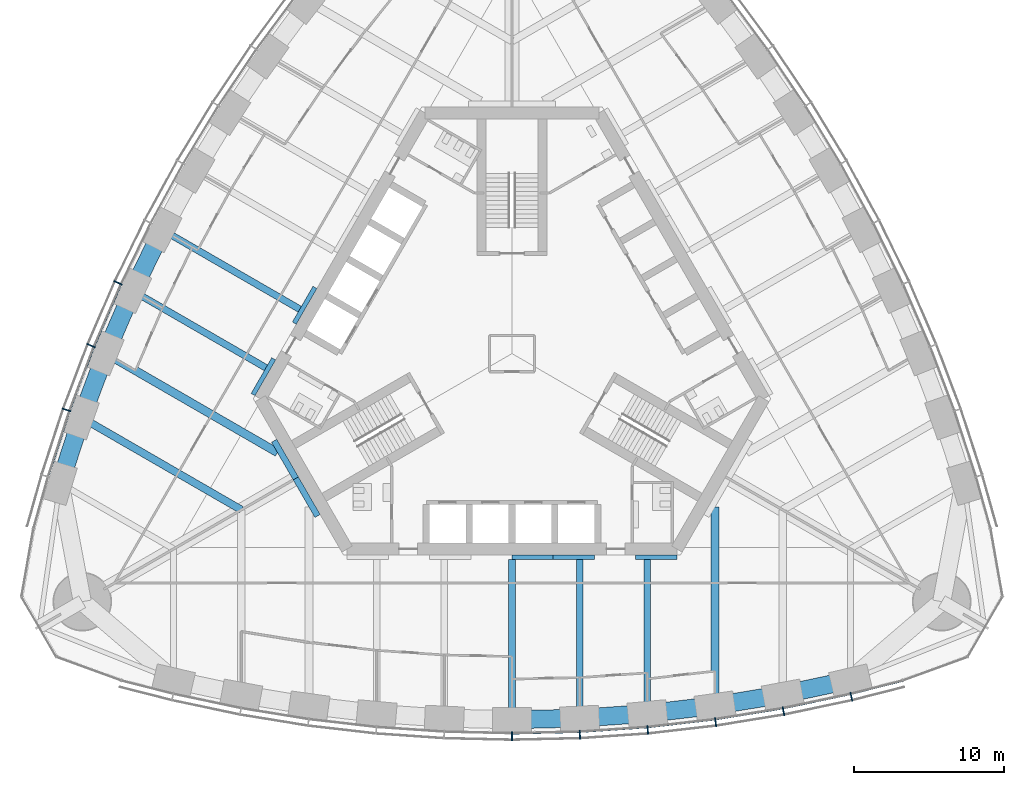
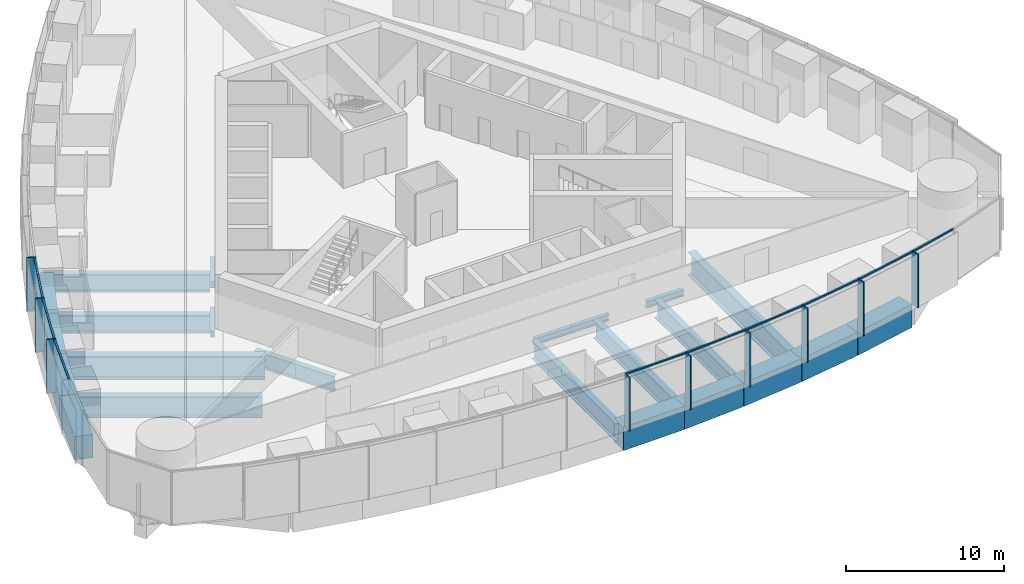
# One storey, part 3 of 19: 24 beams, 18 members, 2 elements without a shape of their own.
"""IFC4 building model written with IfcOpenShell, lengths in metres."""

from ifc_helpers import new_model, si_unit, direction, frame, origin, origin_2d, place, context, subcontext, project, spatial, rectangle, i_section, extrude, material, material_profile, profile_set, type_object, element, aggregate, save


model = new_model("IFC4")

# Units and contexts
model_context = context("Model", 3, precision=1e-05, world=origin(), true_north=direction((0.0, 1.0)))
body_context = subcontext(model_context, "Body", "Model", "MODEL_VIEW")
ifc_project = project(units=[si_unit("LENGTHUNIT", "METRE"), si_unit("AREAUNIT", "SQUARE_METRE"), si_unit("VOLUMEUNIT", "CUBIC_METRE"), si_unit("PLANEANGLEUNIT", "RADIAN"), si_unit("MASSUNIT", "GRAM", prefix="KILO")], contexts=[model_context])

# Site, building, storey
site_placement = place(None, origin())
site = spatial("IfcSite", under=ifc_project, at=site_placement, CompositionType="ELEMENT")
building_placement = place(site_placement, origin())
building = spatial("IfcBuilding", under=site, at=building_placement, Name="Trefoil Bronze Tower", CompositionType="ELEMENT")
storey_placement = place(building_placement, frame((0.0, 0.0, 189.699951171875)))
storey = spatial("IfcBuildingStorey", under=building, at=storey_placement, Name="L43", CompositionType="ELEMENT", Elevation=189.699951171875)

# Curtain wall, members
ifc_material_1 = material(Name="Tinted solar-control glass", Category="glass")
curtain_wall_type = type_object("IfcCurtainWallType", Name="Bronze office curtain wall", PredefinedType="USERDEFINED", material=ifc_material_1)
curtain_wall_1_placement = place(storey_placement, origin())
curtain_wall_1 = element("IfcCurtainWall", 1, at=curtain_wall_1_placement, inside=storey, type_object=curtain_wall_type, Name="CW-A L43 F1", ObjectType="CURTAIN WALL", PredefinedType="USERDEFINED")
ifc_material_2 = material(Name="Bronze-finish aluminium", Category="aluminium")
ifc_material_profile_1 = material_profile(ifc_material_2, rectangle(XDim=0.60009765625, YDim=0.080078125, at=origin_2d()), Name="CW-A mullion")
ifc_profile_set_1 = profile_set([ifc_material_profile_1], Name="Bronze-finish aluminium")
member_type_1 = type_object("IfcMemberType", Name="Bronze office curtain wall mullion", PredefinedType="MULLION", material=ifc_profile_set_1)
member_1_placement = place(storey_placement, frame((0.0, -25.45068359375, 0.0), z_axis=(0.0, 0.0, 1.0), x_axis=(0.0, 1.0, 0.0)))
member_1 = element("IfcMember", 2, at=member_1_placement, type_object=member_type_1, Name="CW-A L43 F1 mullion 7", PredefinedType="MULLION", context=body_context, shape_type="SweptSolid", body=[
    extrude(rectangle(XDim=0.60009765625, YDim=0.080078125, at=origin_2d()), origin(), (0.0, 0.0, 1.0), 4.179931640625),
])
member_2_placement = place(storey_placement, frame((4.513671875, -25.346923828125, 0.0), z_axis=(0.0, 0.0, 1.0), x_axis=(-0.045955542372, 0.998943485952, 0.0)))
member_2 = element("IfcMember", 3, at=member_2_placement, type_object=member_type_1, Name="CW-A L43 F1 mullion 8", PredefinedType="MULLION", context=body_context, shape_type="SweptSolid", body=[
    extrude(rectangle(XDim=0.60009765625, YDim=0.080078125, at=origin_2d()), origin(), (0.0, 0.0, 1.0), 4.179931640625),
])
member_3_placement = place(storey_placement, frame((9.027587890625, -25.03515625, 0.0), z_axis=(0.0, 0.0, 1.0), x_axis=(-0.091911396394, 0.995767189263, 0.0)))
member_3 = element("IfcMember", 4, at=member_3_placement, type_object=member_type_1, Name="CW-A L43 F1 mullion 9", PredefinedType="MULLION", context=body_context, shape_type="SweptSolid", body=[
    extrude(rectangle(XDim=0.60009765625, YDim=0.080078125, at=origin_2d()), origin(), (0.0, 0.0, 1.0), 4.179931640625),
])
member_4_placement = place(storey_placement, frame((13.541259765625, -24.51318359375, 0.0), z_axis=(0.0, 0.0, 1.0), x_axis=(-0.137867887204, 0.990450627582, 0.0)))
member_4 = element("IfcMember", 5, at=member_4_placement, type_object=member_type_1, Name="CW-A L43 F1 mullion 10", PredefinedType="MULLION", context=body_context, shape_type="SweptSolid", body=[
    extrude(rectangle(XDim=0.60009765625, YDim=0.080078125, at=origin_2d()), origin(), (0.0, 0.0, 1.0), 4.179931640625),
])
member_5_placement = place(storey_placement, frame((18.05517578125, -23.77783203125, 0.0), z_axis=(0.0, 0.0, 1.0), x_axis=(-0.183825368167, 0.982958917767, 0.0)))
member_5 = element("IfcMember", 6, at=member_5_placement, type_object=member_type_1, Name="CW-A L43 F1 mullion 11", PredefinedType="MULLION", context=body_context, shape_type="SweptSolid", body=[
    extrude(rectangle(XDim=0.60009765625, YDim=0.080078125, at=origin_2d()), origin(), (0.0, 0.0, 1.0), 4.179931640625),
])
member_6_placement = place(storey_placement, frame((22.568115234375, -22.82421875, 0.0), z_axis=(0.0, 0.0, 1.0), x_axis=(-0.227082662569, 0.973875487093, 0.0)))
member_6 = element("IfcMember", 7, at=member_6_placement, type_object=member_type_1, Name="CW-A L43 F1 mullion 12", PredefinedType="MULLION", context=body_context, shape_type="SweptSolid", body=[
    extrude(rectangle(XDim=0.60009765625, YDim=0.080078125, at=origin_2d()), origin(), (0.0, 0.0, 1.0), 4.179931640625),
])

curtain_wall_2_placement = place(storey_placement, origin())
curtain_wall_2 = element("IfcCurtainWall", 8, at=curtain_wall_2_placement, inside=storey, type_object=curtain_wall_type, Name="CW-A L43 F3", ObjectType="CURTAIN WALL", PredefinedType="USERDEFINED")
member_7_placement = place(storey_placement, frame((-26.19482421875, 4.699462890625, 0.0), z_axis=(0.0, 0.0, 1.0), x_axis=(0.908315380354, -0.418285990457, 0.0)))
member_7 = element("IfcMember", 9, at=member_7_placement, type_object=member_type_1, Name="CW-A L43 F3 mullion 9", PredefinedType="MULLION", context=body_context, shape_type="SweptSolid", body=[
    extrude(rectangle(XDim=0.60009765625, YDim=0.080078125, at=origin_2d()), origin(), (0.0, 0.0, 1.0), 4.179931640625),
])
member_8_placement = place(storey_placement, frame((-27.999755859375, 0.529541015625, 0.0), z_axis=(0.0, 0.0, 1.0), x_axis=(0.926689348282, -0.375828221106, 0.0)))
member_8 = element("IfcMember", 10, at=member_8_placement, type_object=member_type_1, Name="CW-A L43 F3 mullion 10", PredefinedType="MULLION", context=body_context, shape_type="SweptSolid", body=[
    extrude(rectangle(XDim=0.60009765625, YDim=0.080078125, at=origin_2d()), origin(), (0.0, 0.0, 1.0), 4.179931640625),
])
member_9_placement = place(storey_placement, frame((-29.619873046875, -3.747314453125, 0.0), z_axis=(0.0, 0.0, 1.0), x_axis=(0.943180077746, -0.332282020191, 0.0)))
member_9 = element("IfcMember", 11, at=member_9_placement, type_object=member_type_1, Name="CW-A L43 F3 mullion 11", PredefinedType="MULLION", context=body_context, shape_type="SweptSolid", body=[
    extrude(rectangle(XDim=0.60009765625, YDim=0.080078125, at=origin_2d()), origin(), (0.0, 0.0, 1.0), 4.179931640625),
])

# Member
ifc_material_3 = material(Name="Bronze-finish aluminium", Category="aluminium")
ifc_material_profile_2 = material_profile(ifc_material_3, rectangle(XDim=0.1201171875, YDim=0.10009765625, at=origin_2d()), Name="CW-A transom")
ifc_profile_set_2 = profile_set([ifc_material_profile_2], Name="Bronze-finish aluminium")
member_type_2 = type_object("IfcMemberType", Name="Bronze office curtain wall transom", PredefinedType="USERDEFINED", material=ifc_profile_set_2)
member_10_placement = place(storey_placement, frame((0.042236328125, -25.249755859375, 4.130126953125), z_axis=(0.999736131416, 0.022971015226, 0.0), x_axis=(-0.022971015226, 0.999736131416, 0.0)))
member_10 = element("IfcMember", 12, at=member_10_placement, type_object=member_type_2, Name="CW-A L43 F1 transom 7", ObjectType="TRANSOM", PredefinedType="USERDEFINED", context=body_context, shape_type="SweptSolid", body=[
    extrude(rectangle(XDim=0.1201171875, YDim=0.10009765625, at=origin_2d()), origin(), (0.0, 0.0, 1.0), 4.42138671875),
])

member_11_placement = place(storey_placement, frame((4.546875, -25.144287109375, 4.130126953125), z_axis=(0.997621320987, 0.06893257512, 0.0), x_axis=(-0.06893257512, 0.997621320987, 0.0)))
member_11 = element("IfcMember", 13, at=member_11_placement, type_object=member_type_2, Name="CW-A L43 F1 transom 8", ObjectType="TRANSOM", PredefinedType="USERDEFINED", context=body_context, shape_type="SweptSolid", body=[
    extrude(rectangle(XDim=0.1201171875, YDim=0.10009765625, at=origin_2d()), origin(), (0.0, 0.0, 1.0), 4.4306640625),
])

member_12_placement = place(storey_placement, frame((9.05126953125, -24.8310546875, 4.130126953125), z_axis=(0.993384885596, 0.114832352013, 0.0), x_axis=(-0.114832352013, 0.993384885596, 0.0)))
member_12 = element("IfcMember", 14, at=member_12_placement, type_object=member_type_2, Name="CW-A L43 F1 transom 9", ObjectType="TRANSOM", PredefinedType="USERDEFINED", context=body_context, shape_type="SweptSolid", body=[
    extrude(rectangle(XDim=0.1201171875, YDim=0.10009765625, at=origin_2d()), origin(), (0.0, 0.0, 1.0), 4.449951171875),
])

member_13_placement = place(storey_placement, frame((13.5556640625, -24.308349609375, 4.130126953125), z_axis=(0.986988367046, 0.160791676761, 0.0), x_axis=(-0.160791676761, 0.986988367046, 0.0)))
member_13 = element("IfcMember", 15, at=member_13_placement, type_object=member_type_2, Name="CW-A L43 F1 transom 10", ObjectType="TRANSOM", PredefinedType="USERDEFINED", context=body_context, shape_type="SweptSolid", body=[
    extrude(rectangle(XDim=0.1201171875, YDim=0.10009765625, at=origin_2d()), origin(), (0.0, 0.0, 1.0), 4.479248046875),
])

member_14_placement = place(storey_placement, frame((18.059814453125, -23.572509765625, 4.130126953125), z_axis=(0.978395325657, 0.20674280334, 0.0), x_axis=(-0.20674280334, 0.978395325657, 0.0)))
member_14 = element("IfcMember", 16, at=member_14_placement, type_object=member_type_2, Name="CW-A L43 F1 transom 11", ObjectType="TRANSOM", PredefinedType="USERDEFINED", context=body_context, shape_type="SweptSolid", body=[
    extrude(rectangle(XDim=0.1201171875, YDim=0.10009765625, at=origin_2d()), origin(), (0.0, 0.0, 1.0), 4.519287109375),
])

member_15_placement = place(storey_placement, frame((22.5634765625, -22.618896484375, 4.130126953125), z_axis=(0.968935220916, 0.247314653162, 0.0), x_axis=(-0.247314653162, 0.968935220916, 0.0)))
member_15 = element("IfcMember", 17, at=member_15_placement, type_object=member_type_2, Name="CW-A L43 F1 transom 12", ObjectType="TRANSOM", PredefinedType="USERDEFINED", context=body_context, shape_type="SweptSolid", body=[
    extrude(rectangle(XDim=0.1201171875, YDim=0.10009765625, at=origin_2d()), origin(), (0.0, 0.0, 1.0), 3.483642578125),
])

aggregate(curtain_wall_1, [member_1, member_2, member_3, member_4, member_5, member_6, member_10, member_11, member_12, member_13, member_14, member_15])

member_16_placement = place(storey_placement, frame((-26.030029296875, 4.576904296875, 4.130126953125), z_axis=(-0.397220936772, -0.917723012346, 0.0), x_axis=(0.917723012346, -0.397220936772, 0.0)))
member_16 = element("IfcMember", 18, at=member_16_placement, type_object=member_type_2, Name="CW-A L43 F3 transom 9", ObjectType="TRANSOM", PredefinedType="USERDEFINED", context=body_context, shape_type="SweptSolid", body=[
    extrude(rectangle(XDim=0.1201171875, YDim=0.10009765625, at=origin_2d()), origin(), (0.0, 0.0, 1.0), 4.449951171875),
])

member_17_placement = place(storey_placement, frame((-27.829345703125, 0.414794921875, 4.130126953125), z_axis=(-0.354263170896, -0.935145767112, 0.0), x_axis=(0.935145767112, -0.354263170896, 0.0)))
member_17 = element("IfcMember", 19, at=member_17_placement, type_object=member_type_2, Name="CW-A L43 F3 transom 10", ObjectType="TRANSOM", PredefinedType="USERDEFINED", context=body_context, shape_type="SweptSolid", body=[
    extrude(rectangle(XDim=0.1201171875, YDim=0.10009765625, at=origin_2d()), origin(), (0.0, 0.0, 1.0), 4.4794921875),
])

member_18_placement = place(storey_placement, frame((-29.4443359375, -3.85400390625, 4.130126953125), z_axis=(-0.310127806788, -0.950694874004, 0.0), x_axis=(0.950694874004, -0.310127806788, 0.0)))
member_18 = element("IfcMember", 20, at=member_18_placement, type_object=member_type_2, Name="CW-A L43 F3 transom 11", ObjectType="TRANSOM", PredefinedType="USERDEFINED", context=body_context, shape_type="SweptSolid", body=[
    extrude(rectangle(XDim=0.1201171875, YDim=0.10009765625, at=origin_2d()), origin(), (0.0, 0.0, 1.0), 4.51953125),
])

aggregate(curtain_wall_2, [member_7, member_8, member_9, member_16, member_17, member_18])

# Beams
ifc_material_4 = material(Name="Steel C355", Category="steel")
ifc_material_profile_3 = material_profile(ifc_material_4, i_section(OverallWidth=0.300048828125, OverallDepth=0.5, WebThickness=0.014404296875, FlangeThickness=0.028076171875, FilletRadius=0.027099609375, at=origin_2d()), Name="HEB 500")
ifc_profile_set_3 = profile_set([ifc_material_profile_3], Name="Steel C355")
beam_type_1 = type_object("IfcBeamType", Name="Core seat beam HEB 500", PredefinedType="BEAM", material=ifc_profile_set_3)
for number, where, z_axis, x_axis, name in (
    (21, (0.0, -13.550048828125, -0.449951171875), (1.0, 0.0, 0.0), (0.0, 1.0, 0.0), "Core seat beam F1/+0 L43"),
    (22, (2.742431640625, -13.550048828125, -0.449951171875), (1.0, 0.0, 0.0), (0.0, 1.0, 0.0), "Core seat beam F1/+1 L43"),
    (23, (8.227294921875, -13.550048828125, -0.449951171875), (1.0, 0.0, 0.0), (0.0, 1.0, 0.0), "Core seat beam F1/+2 L43"),
    (24, (-13.10595703125, 4.39990234375, -0.449951171875), (-0.499969057507, -0.866043267704, 0.0), (0.866043267704, -0.499969057507, 0.0), "Core seat beam F3/+1 L43"),
    (25, (-15.84814453125, -0.35009765625, -0.449951171875), (-0.500035825175, -0.866004719122, 0.0), (0.866004719122, -0.500035825175, 0.0), "Core seat beam F3/+2 L43"),
):
    element("IfcBeam", number, at=place(storey_placement, frame(where, z_axis=z_axis, x_axis=x_axis)), inside=storey, type_object=beam_type_1, Name=name, PredefinedType="BEAM", context=body_context, shape_type="SweptSolid", body=[
        extrude(i_section(OverallWidth=0.300048828125, OverallDepth=0.5, WebThickness=0.014404296875, FlangeThickness=0.028076171875, FilletRadius=0.027099609375, at=origin_2d()), origin(), (0.0, 0.0, 1.0), 2.742431640625),
    ])
ifc_material_5 = material(Name="Steel C355", Category="steel")
ifc_material_profile_4 = material_profile(ifc_material_5, i_section(OverallWidth=0.39990234375, OverallDepth=1.199951171875, WebThickness=0.02001953125, FlangeThickness=0.0400390625, FilletRadius=0.010009765625, at=origin_2d()), Name="WPG 1200")
ifc_profile_set_4 = profile_set([ifc_material_profile_4], Name="Steel C355")
beam_type_2 = type_object("IfcBeamType", Name="Core seat beam WPG 1200", PredefinedType="BEAM", material=ifc_profile_set_4)
for number, where, z_axis, x_axis, name in (
    (26, (-14.3759765625, -8.300048828125, -0.800048828125), (0.499995765644, -0.866027848477, 0.0), (0.866027848477, 0.499995765644, 0.0), "Core seat beam F1/-3 L43"),
    (27, (-15.8193359375, -5.800048828125, -0.800048828125), (0.499995765644, -0.866027848477, 0.0), (0.866027848477, 0.499995765644, 0.0), "Core seat beam F3/+3 L43"),
):
    element("IfcBeam", number, at=place(storey_placement, frame(where, z_axis=z_axis, x_axis=x_axis)), inside=storey, type_object=beam_type_2, Name=name, PredefinedType="BEAM", context=body_context, shape_type="SweptSolid", body=[
        extrude(i_section(OverallWidth=0.39990234375, OverallDepth=1.199951171875, WebThickness=0.02001953125, FlangeThickness=0.0400390625, FilletRadius=0.010009765625, at=origin_2d()), origin(), (0.0, 0.0, 1.0), 2.88671875),
    ])
ifc_material_6 = material(Name="Steel C355", Category="steel")
ifc_material_profile_5 = material_profile(ifc_material_6, i_section(OverallWidth=0.449951171875, OverallDepth=1.39990234375, WebThickness=0.02294921875, FlangeThickness=0.044921875, FilletRadius=0.011962890625, at=origin_2d()), Name="WPG 1400")
ifc_profile_set_5 = profile_set([ifc_material_profile_5], Name="Steel C355")
beam_type_3 = type_object("IfcBeamType", Name="Floor beam WPG 1400", PredefinedType="BEAM", material=ifc_profile_set_5)
beam_1_placement = place(storey_placement, frame((0.0, -24.3505859375, -0.89990234375), z_axis=(0.0, 1.0, 0.0), x_axis=(-1.0, 0.0, 0.0)))
element("IfcBeam", 28, at=beam_1_placement, inside=storey, type_object=beam_type_3, Name="Floor beam F1/+0 L43", PredefinedType="BEAM", context=body_context, shape_type="SweptSolid", body=[
    extrude(i_section(OverallWidth=0.449951171875, OverallDepth=1.39990234375, WebThickness=0.02294921875, FlangeThickness=0.044921875, FilletRadius=0.011962890625, at=origin_2d()), origin(), (0.0, 0.0, 1.0), 10.650634765625),
])
beam_2_placement = place(storey_placement, frame((4.5, -24.246337890625, -0.89990234375), z_axis=(0.0, 1.0, 0.0), x_axis=(-1.0, 0.0, 0.0)))
element("IfcBeam", 29, at=beam_2_placement, inside=storey, type_object=beam_type_3, Name="Floor beam F1/+1 L43", PredefinedType="BEAM", context=body_context, shape_type="SweptSolid", body=[
    extrude(i_section(OverallWidth=0.449951171875, OverallDepth=1.39990234375, WebThickness=0.02294921875, FlangeThickness=0.044921875, FilletRadius=0.011962890625, at=origin_2d()), origin(), (0.0, 0.0, 1.0), 10.54638671875),
])
beam_3_placement = place(storey_placement, frame((9.0, -23.932861328125, -0.89990234375), z_axis=(0.0, 1.0, 0.0), x_axis=(-1.0, 0.0, 0.0)))
element("IfcBeam", 30, at=beam_3_placement, inside=storey, type_object=beam_type_3, Name="Floor beam F1/+2 L43", PredefinedType="BEAM", context=body_context, shape_type="SweptSolid", body=[
    extrude(i_section(OverallWidth=0.449951171875, OverallDepth=1.39990234375, WebThickness=0.02294921875, FlangeThickness=0.044921875, FilletRadius=0.011962890625, at=origin_2d()), origin(), (0.0, 0.0, 1.0), 10.23291015625),
])
beam_4_placement = place(storey_placement, frame((-23.248046875, 8.22607421875, -0.89990234375), z_axis=(0.866027918957, -0.499995643569, 0.0), x_axis=(0.499995643569, 0.866027918957, 0.0)))
element("IfcBeam", 31, at=beam_4_placement, inside=storey, type_object=beam_type_3, Name="Floor beam F3/+1 L43", PredefinedType="BEAM", context=body_context, shape_type="SweptSolid", body=[
    extrude(i_section(OverallWidth=0.449951171875, OverallDepth=1.39990234375, WebThickness=0.02294921875, FlangeThickness=0.044921875, FilletRadius=0.011962890625, at=origin_2d()), origin(), (0.0, 0.0, 1.0), 10.54638671875),
])
beam_5_placement = place(storey_placement, frame((-25.2265625, 4.17236328125, -0.89990234375), z_axis=(0.866017525653, -0.500013645076, 0.0), x_axis=(0.500013645076, 0.866017525653, 0.0)))
element("IfcBeam", 32, at=beam_5_placement, inside=storey, type_object=beam_type_3, Name="Floor beam F3/+2 L43", PredefinedType="BEAM", context=body_context, shape_type="SweptSolid", body=[
    extrude(i_section(OverallWidth=0.449951171875, OverallDepth=1.39990234375, WebThickness=0.02294921875, FlangeThickness=0.044921875, FilletRadius=0.011962890625, at=origin_2d()), origin(), (0.0, 0.0, 1.0), 10.233154296875),
])
ifc_material_7 = material(Name="Steel C355", Category="steel")
ifc_material_profile_6 = material_profile(ifc_material_7, i_section(OverallWidth=0.5, OverallDepth=1.60009765625, WebThickness=0.02587890625, FlangeThickness=0.050048828125, FilletRadius=0.011962890625, at=origin_2d()), Name="WPG 1600")
ifc_profile_set_6 = profile_set([ifc_material_profile_6], Name="Steel C355")
beam_type_4 = type_object("IfcBeamType", Name="Floor beam WPG 1600", PredefinedType="BEAM", material=ifc_profile_set_6)
beam_6_placement = place(storey_placement, frame((-28.632080078125, -4.25390625, -1.0), z_axis=(0.866025635187, -0.499999599199, 0.0), x_axis=(0.499999599199, 0.866025635187, 0.0)))
element("IfcBeam", 33, at=beam_6_placement, inside=storey, type_object=beam_type_4, Name="Floor beam F3/+4 L43", PredefinedType="BEAM", context=body_context, shape_type="SweptSolid", body=[
    extrude(i_section(OverallWidth=0.5, OverallDepth=1.60009765625, WebThickness=0.02587890625, FlangeThickness=0.050048828125, FilletRadius=0.011962890625, at=origin_2d()), origin(), (0.0, 0.0, 1.0), 12.27685546875),
])
ifc_material_8 = material(Name="Steel C355", Category="steel")
ifc_material_profile_7 = material_profile(ifc_material_8, i_section(OverallWidth=0.550048828125, OverallDepth=1.800048828125, WebThickness=0.029052734375, FlangeThickness=0.054931640625, FilletRadius=0.013916015625, at=origin_2d()), Name="WPG 1800")
ifc_profile_set_7 = profile_set([ifc_material_profile_7], Name="Steel C355")
beam_type_5 = type_object("IfcBeamType", Name="Floor beam WPG 1800", PredefinedType="BEAM", material=ifc_profile_set_7)
for number, where, z_axis, x_axis, name in (
    (34, (13.5, -23.408447265625, -1.099853515625), (0.0, 1.0, 0.0), (-1.0, 0.0, 0.0), "Floor beam F1/+3 L43"),
    (35, (-27.022216796875, 0.012939453125, -1.099853515625), (0.866020385251, -0.500008692254, 0.0), (0.500008692254, 0.866020385251, 0.0), "Floor beam F3/+3 L43"),
):
    element("IfcBeam", number, at=place(storey_placement, frame(where, z_axis=z_axis, x_axis=x_axis)), inside=storey, type_object=beam_type_5, Name=name, PredefinedType="BEAM", context=body_context, shape_type="SweptSolid", body=[
        extrude(i_section(OverallWidth=0.550048828125, OverallDepth=1.800048828125, WebThickness=0.029052734375, FlangeThickness=0.054931640625, FilletRadius=0.013916015625, at=origin_2d()), origin(), (0.0, 0.0, 1.0), 13.191162109375),
    ])
ifc_material_9 = material(Name="Concrete B80", Category="concrete")
ifc_material_profile_8 = material_profile(ifc_material_9, rectangle(XDim=1.199951171875, YDim=1.800048828125, at=origin_2d()), Name="RC 1200x1800")
ifc_profile_set_8 = profile_set([ifc_material_profile_8], Name="Concrete B80")
beam_type_6 = type_object("IfcBeamType", Name="Spandrel beam RC 1200x1800", PredefinedType="SPANDREL", material=ifc_profile_set_8)
beam_7_placement = place(storey_placement, frame((0.0, -24.3505859375, -1.099853515625), z_axis=(0.999731770792, 0.023160018779, 0.0), x_axis=(-0.023160018779, 0.999731770792, 0.0)))
element("IfcBeam", 36, at=beam_7_placement, inside=storey, type_object=beam_type_6, Name="Spandrel F1.7 L43", PredefinedType="SPANDREL", context=body_context, shape_type="SweptSolid", body=[
    extrude(rectangle(XDim=1.199951171875, YDim=1.800048828125, at=origin_2d()), origin(), (0.0, 0.0, 1.0), 4.501220703125),
])
beam_8_placement = place(storey_placement, frame((4.5, -24.246337890625, -1.099853515625), z_axis=(0.997582435881, 0.069493047291, 0.0), x_axis=(-0.069493047291, 0.997582435881, 0.0)))
element("IfcBeam", 37, at=beam_8_placement, inside=storey, type_object=beam_type_6, Name="Spandrel F1.8 L43", PredefinedType="SPANDREL", context=body_context, shape_type="SweptSolid", body=[
    extrude(rectangle(XDim=1.199951171875, YDim=1.800048828125, at=origin_2d()), origin(), (0.0, 0.0, 1.0), 4.510986328125),
])
beam_9_placement = place(storey_placement, frame((9.0, -23.932861328125, -1.099853515625), z_axis=(0.993278017132, 0.115753102257, 0.0), x_axis=(-0.115753102257, 0.993278017132, 0.0)))
element("IfcBeam", 38, at=beam_9_placement, inside=storey, type_object=beam_type_6, Name="Spandrel F1.9 L43", PredefinedType="SPANDREL", context=body_context, shape_type="SweptSolid", body=[
    extrude(rectangle(XDim=1.199951171875, YDim=1.800048828125, at=origin_2d()), origin(), (0.0, 0.0, 1.0), 4.530517578125),
])
beam_10_placement = place(storey_placement, frame((13.5, -23.408447265625, -1.099853515625), z_axis=(0.986764681833, 0.162158757664, 0.0), x_axis=(-0.162158757664, 0.986764681833, 0.0)))
element("IfcBeam", 39, at=beam_10_placement, inside=storey, type_object=beam_type_6, Name="Spandrel F1.10 L43", PredefinedType="SPANDREL", context=body_context, shape_type="SweptSolid", body=[
    extrude(rectangle(XDim=1.199951171875, YDim=1.800048828125, at=origin_2d()), origin(), (0.0, 0.0, 1.0), 4.560302734375),
])
beam_11_placement = place(storey_placement, frame((18.0, -22.6689453125, -1.099853515625), z_axis=(0.978059483036, 0.208325820877, 0.0), x_axis=(-0.208325820877, 0.978059483036, 0.0)))
element("IfcBeam", 40, at=beam_11_placement, inside=storey, type_object=beam_type_6, Name="Spandrel F1.11 L43", PredefinedType="SPANDREL", context=body_context, shape_type="SweptSolid", body=[
    extrude(rectangle(XDim=1.199951171875, YDim=1.800048828125, at=origin_2d()), origin(), (0.0, 0.0, 1.0), 4.600830078125),
])
beam_12_placement = place(storey_placement, frame((-23.248046875, 8.22607421875, -1.099853515625), z_axis=(-0.438619830351, -0.898672712629, 0.0), x_axis=(0.898672712629, -0.438619830351, 0.0)))
element("IfcBeam", 41, at=beam_12_placement, inside=storey, type_object=beam_type_6, Name="Spandrel F3.8 L43", PredefinedType="SPANDREL", context=body_context, shape_type="SweptSolid", body=[
    extrude(rectangle(XDim=1.199951171875, YDim=1.800048828125, at=origin_2d()), origin(), (0.0, 0.0, 1.0), 4.5107421875),
])
beam_13_placement = place(storey_placement, frame((-25.2265625, 4.17236328125, -1.099853515625), z_axis=(-0.396350337164, -0.918099346602, 0.0), x_axis=(0.918099346602, -0.396350337164, 0.0)))
element("IfcBeam", 42, at=beam_13_placement, inside=storey, type_object=beam_type_6, Name="Spandrel F3.9 L43", PredefinedType="SPANDREL", context=body_context, shape_type="SweptSolid", body=[
    extrude(rectangle(XDim=1.199951171875, YDim=1.800048828125, at=origin_2d()), origin(), (0.0, 0.0, 1.0), 4.530517578125),
])
beam_14_placement = place(storey_placement, frame((-27.022216796875, 0.012939453125, -1.099853515625), z_axis=(-0.353005969632, -0.935621069346, 0.0), x_axis=(0.935621069346, -0.353005969632, 0.0)))
element("IfcBeam", 43, at=beam_14_placement, inside=storey, type_object=beam_type_6, Name="Spandrel F3.10 L43", PredefinedType="SPANDREL", context=body_context, shape_type="SweptSolid", body=[
    extrude(rectangle(XDim=1.199951171875, YDim=1.800048828125, at=origin_2d()), origin(), (0.0, 0.0, 1.0), 4.560546875),
])
beam_15_placement = place(storey_placement, frame((-28.632080078125, -4.25390625, -1.099853515625), z_axis=(-0.308608505504, -0.951189145402, 0.0), x_axis=(0.951189145402, -0.308608505504, 0.0)))
element("IfcBeam", 44, at=beam_15_placement, inside=storey, type_object=beam_type_6, Name="Spandrel F3.11 L43", PredefinedType="SPANDREL", context=body_context, shape_type="SweptSolid", body=[
    extrude(rectangle(XDim=1.199951171875, YDim=1.800048828125, at=origin_2d()), origin(), (0.0, 0.0, 1.0), 4.60107421875),
])

save(model, "model.ifc")
